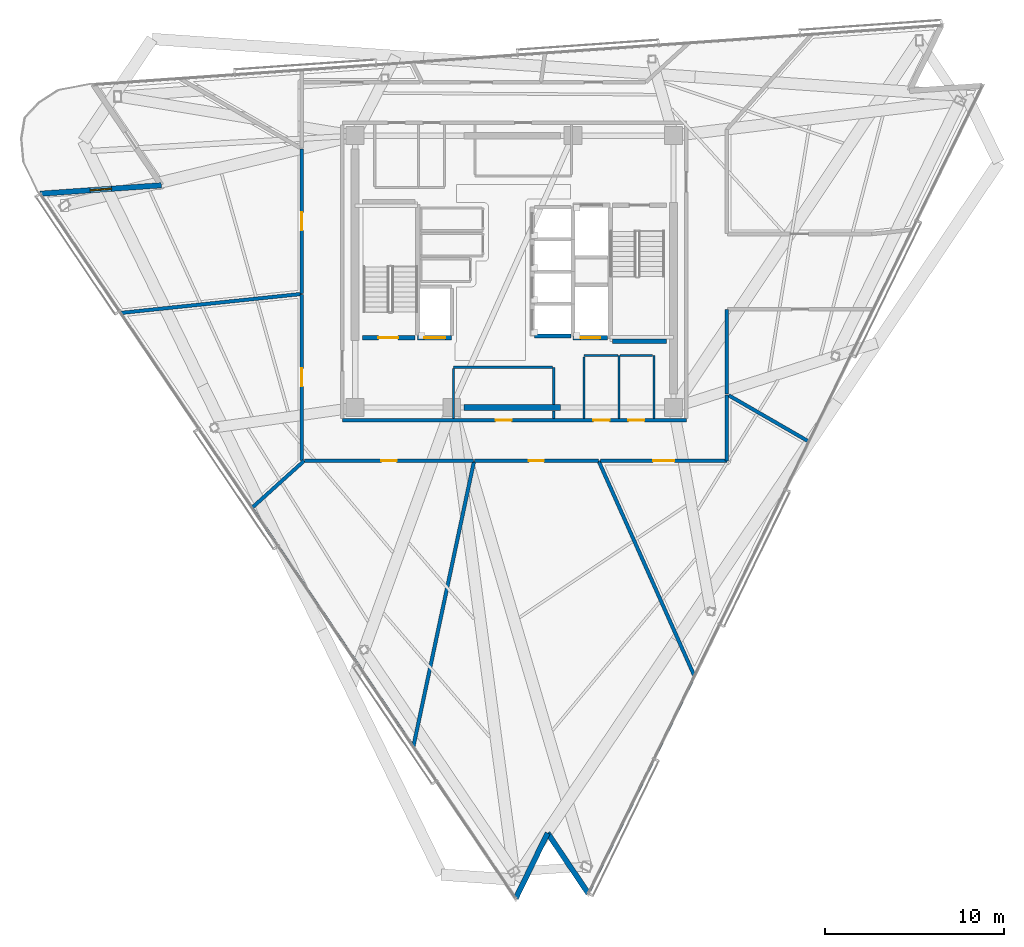
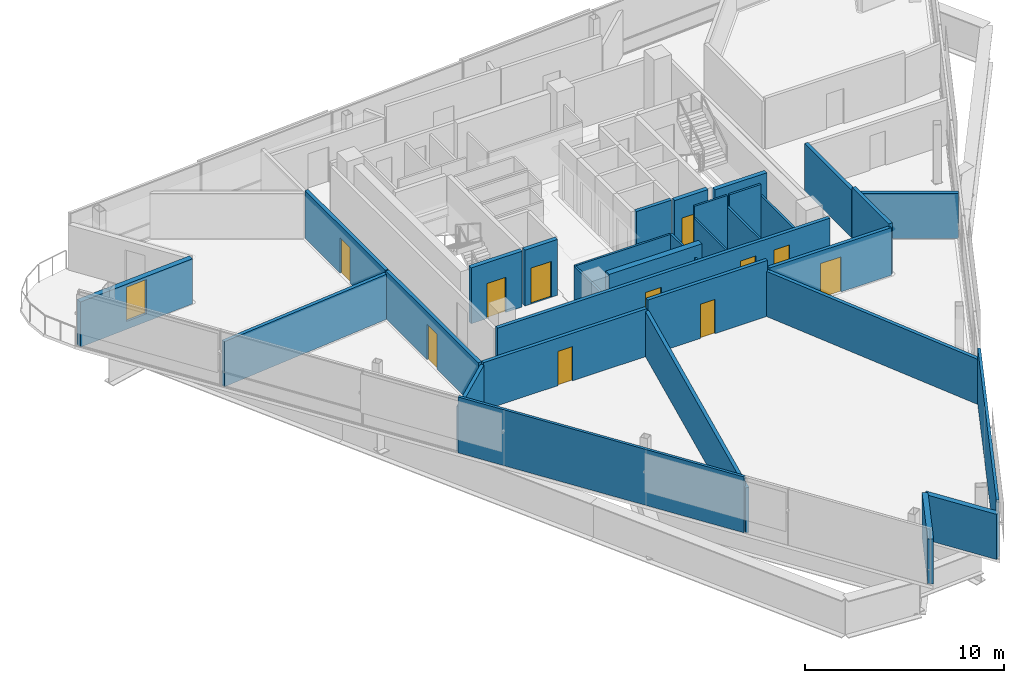
# One storey, part 10 of 17: 33 walls, 11 doors, 1 window, 12 openings.
"""IFC4 building model written with IfcOpenShell, lengths in metres."""

from ifc_helpers import new_model, si_unit, direction, frame, frame_2d, origin, place, context, subcontext, project, spatial, rectangle, extrude, material, layer, layer_set, type_object, element, fill, save


model = new_model("IFC4")

# Units and contexts
model_context = context("Model", 3, precision=1e-05, world=origin(), true_north=direction((0.0, 1.0)))
body_context = subcontext(model_context, "Body", "Model", "MODEL_VIEW")
ifc_project = project(units=[si_unit("LENGTHUNIT", "METRE"), si_unit("AREAUNIT", "SQUARE_METRE"), si_unit("VOLUMEUNIT", "CUBIC_METRE"), si_unit("PLANEANGLEUNIT", "RADIAN"), si_unit("MASSUNIT", "GRAM", prefix="KILO")], contexts=[model_context])

# Site, building, storey
site_placement = place(None, origin())
site = spatial("IfcSite", under=ifc_project, at=site_placement, CompositionType="ELEMENT")
building_placement = place(site_placement, origin())
building = spatial("IfcBuilding", under=site, at=building_placement, Name="Tharavind Bronze Gate", CompositionType="ELEMENT")
storey_placement = place(building_placement, frame((0.0, 0.0, 253.39990234375)))
storey = spatial("IfcBuildingStorey", under=building, at=storey_placement, Name="L65", CompositionType="ELEMENT", Elevation=253.39990234375)

# Wall, opening, window
ifc_material_1 = material(Name="Concrete C40/50", Category="concrete")
ifc_layer_1 = layer(ifc_material_1, 0.300048828125)
ifc_layer_set_1 = layer_set([ifc_layer_1], Name="Concrete C40/50")
wall_type_1 = type_object("IfcWallType", Name="EXTERIOR SPANDREL WALL 300", PredefinedType="STANDARD", material=ifc_layer_set_1)
wall_1_placement = place(storey_placement, frame((-19.734619140625, 4.8251953125, 0.0), z_axis=(0.0, 0.0, 1.0), x_axis=(-0.997564507468, -0.06974993506, 0.0)))
wall_1 = element("IfcWall", 1, at=wall_1_placement, inside=storey, type_object=wall_type_1, Name="L65 notch cheek wall 1B", PredefinedType="STANDARD", context=body_context, shape_type="SweptSolid", body=[
    extrude(rectangle(XDim=6.780029296875, YDim=0.300048828125, at=frame_2d((3.39013671875, 0.0))), origin(), (0.0, 0.0, 1.0), 2.76513671875),
])
opening_1_placement = place(wall_1_placement, frame((2.7900390625, 0.0, 0.485107421875)))
opening_1 = element("IfcOpeningElement", 2, at=opening_1_placement, cuts=wall_1, Name="Opening W01", PredefinedType="OPENING", context=body_context, shape_type="SweptSolid", body=[
    extrude(rectangle(XDim=1.199951171875, YDim=2.10009765625, at=frame_2d((0.60009765625, 1.050048828125))), frame((0.0, 0.15990234375, 0.0), z_axis=(0.0, -1.0, 0.0), x_axis=(1.0, 0.0, 0.0)), (0.0, 0.0, 1.0), 0.320048828125),
])
ifc_material_2 = material(Name="Bronze Aluminium & Low-E Glass", Category="aluminium")
window_type = type_object("IfcWindowType", Name="FIXED BRONZE CASEMENT WINDOW 1200X2100", PartitioningType="SINGLE_PANEL", PredefinedType="WINDOW", material=ifc_material_2)
window_placement = place(opening_1_placement, origin())
window = element("IfcWindow", 3, at=window_placement, inside=storey, type_object=window_type, Name="L65 exterior window WL-L65-NCA1-01", OverallHeight=2.10009765625, OverallWidth=1.199951171875, PartitioningType="SINGLE_PANEL", PredefinedType="WINDOW", context=body_context, shape_type="SweptSolid", body=[
    extrude(rectangle(XDim=1.199951171875, YDim=2.10009765625, at=frame_2d((0.60009765625, 1.050048828125))), frame((0.0, 0.030029296875, 0.0), z_axis=(0.0, -1.0, 0.0), x_axis=(1.0, 0.0, 0.0)), (0.0, 0.0, 1.0), 0.06005859375),
])
fill(opening_1, window)

# Walls
wall_2_placement = place(storey_placement, frame((0.075927734375, -35.04541015625, 0.0), z_axis=(0.0, 0.0, 1.0), x_axis=(0.438357414153, 0.898800744024, 0.0)))
element("IfcWall", 4, at=wall_2_placement, inside=storey, type_object=wall_type_1, Name="L65 notch cheek wall 2A", PredefinedType="STANDARD", context=body_context, shape_type="SweptSolid", body=[
    extrude(rectangle(XDim=4.06787109375, YDim=0.300048828125, at=frame_2d((2.033935546875, 0.0))), origin(), (0.0, 0.0, 1.0), 2.76513671875),
])
wall_3_placement = place(storey_placement, frame((1.859130859375, -31.38916015625, 0.0), z_axis=(0.0, 0.0, 1.0), x_axis=(0.559206900681, -0.829028131145, 0.0)))
element("IfcWall", 5, at=wall_3_placement, inside=storey, type_object=wall_type_1, Name="L65 notch cheek wall 2B", PredefinedType="STANDARD", context=body_context, shape_type="SweptSolid", body=[
    extrude(rectangle(XDim=4.068115234375, YDim=0.300048828125, at=frame_2d((2.0341796875, 0.0))), origin(), (0.0, 0.0, 1.0), 2.76513671875),
])

# Wall, openings, doors
ifc_material_3 = material(Name="Aerated Concrete Block", Category="concrete")
ifc_layer_2 = layer(ifc_material_3, 0.199951171875)
ifc_layer_set_2 = layer_set([ifc_layer_2], Name="Aerated Concrete Block")
wall_type_2 = type_object("IfcWallType", Name="FIRE RATED PARTITION 200", PredefinedType="PARTITIONING", material=ifc_layer_set_2)
wall_4_placement = place(storey_placement, frame((-9.6201171875, -8.320068359375, 0.0), z_axis=(0.0, 0.0, 1.0), x_axis=(1.0, 0.0, 0.0)))
wall_4 = element("IfcWall", 6, at=wall_4_placement, inside=storey, type_object=wall_type_2, Name="L65 south core corridor wall", PredefinedType="PARTITIONING", context=body_context, shape_type="SweptSolid", body=[
    extrude(rectangle(XDim=19.240234375, YDim=0.199951171875, at=frame_2d((9.6201171875, 0.0))), origin(), (0.0, 0.0, 1.0), 2.9150390625),
])
opening_2_placement = place(wall_4_placement, frame((8.570068359375, 0.0, 0.0)))
opening_2 = element("IfcOpeningElement", 7, at=opening_2_placement, cuts=wall_4, Name="Opening ID07", PredefinedType="OPENING", context=body_context, shape_type="SweptSolid", body=[
    extrude(rectangle(XDim=0.89990234375, YDim=2.10009765625, at=frame_2d((0.449951171875, 1.050048828125))), frame((0.0, 0.11009765625, 0.0), z_axis=(0.0, -1.0, 0.0), x_axis=(1.0, 0.0, 0.0)), (0.0, 0.0, 1.0), 0.219951171875),
])
opening_3_placement = place(wall_4_placement, frame((14.044921875, 0.0, 0.0)))
opening_3 = element("IfcOpeningElement", 8, at=opening_3_placement, cuts=wall_4, Name="Opening ID07", PredefinedType="OPENING", context=body_context, shape_type="SweptSolid", body=[
    extrude(rectangle(XDim=0.89990234375, YDim=2.10009765625, at=frame_2d((0.449951171875, 1.050048828125))), frame((0.0, 0.11009765625, 0.0), z_axis=(0.0, -1.0, 0.0), x_axis=(1.0, 0.0, 0.0)), (0.0, 0.0, 1.0), 0.219951171875),
])
opening_4_placement = place(wall_4_placement, frame((15.9951171875, 0.0, 0.0)))
opening_4 = element("IfcOpeningElement", 9, at=opening_4_placement, cuts=wall_4, Name="Opening ID07", PredefinedType="OPENING", context=body_context, shape_type="SweptSolid", body=[
    extrude(rectangle(XDim=0.89990234375, YDim=2.10009765625, at=frame_2d((0.449951171875, 1.050048828125))), frame((0.0, 0.11009765625, 0.0), z_axis=(0.0, -1.0, 0.0), x_axis=(1.0, 0.0, 0.0)), (0.0, 0.0, 1.0), 0.219951171875),
])
ifc_material_4 = material(Name="Galvanised Fire Steel", Category="steel")
door_type_1 = type_object("IfcDoorType", Name="PLANT AND RISER FIRE DOOR 900X2100", OperationType="SINGLE_SWING_LEFT", PredefinedType="DOOR", material=ifc_material_4)
door_1_placement = place(opening_2_placement, origin())
door_1 = element("IfcDoor", 10, at=door_1_placement, inside=storey, type_object=door_type_1, Name="L65 Core BMS Control Room fire door", OperationType="SINGLE_SWING_LEFT", OverallHeight=2.10009765625, OverallWidth=0.89990234375, PredefinedType="DOOR", context=body_context, shape_type="SweptSolid", body=[
    extrude(rectangle(XDim=0.89990234375, YDim=2.10009765625, at=frame_2d((0.449951171875, 1.050048828125))), frame((0.0, 0.02490234375, 0.0), z_axis=(0.0, -1.0, 0.0), x_axis=(1.0, 0.0, 0.0)), (0.0, 0.0, 1.0), 0.050048828125),
])
fill(opening_2, door_1)
door_2_placement = place(opening_3_placement, origin())
door_2 = element("IfcDoor", 11, at=door_2_placement, inside=storey, type_object=door_type_1, Name="L65 Comms Patch Room fire door", OperationType="SINGLE_SWING_LEFT", OverallHeight=2.10009765625, OverallWidth=0.89990234375, PredefinedType="DOOR", context=body_context, shape_type="SweptSolid", body=[
    extrude(rectangle(XDim=0.89990234375, YDim=2.10009765625, at=frame_2d((0.449951171875, 1.050048828125))), frame((0.0, 0.02490234375, 0.0), z_axis=(0.0, -1.0, 0.0), x_axis=(1.0, 0.0, 0.0)), (0.0, 0.0, 1.0), 0.050048828125),
])
fill(opening_3, door_2)
door_3_placement = place(opening_4_placement, origin())
door_3 = element("IfcDoor", 12, at=door_3_placement, inside=storey, type_object=door_type_1, Name="L65 Housekeeping Store fire door", OperationType="SINGLE_SWING_LEFT", OverallHeight=2.10009765625, OverallWidth=0.89990234375, PredefinedType="DOOR", context=body_context, shape_type="SweptSolid", body=[
    extrude(rectangle(XDim=0.89990234375, YDim=2.10009765625, at=frame_2d((0.449951171875, 1.050048828125))), frame((0.0, 0.02490234375, 0.0), z_axis=(0.0, -1.0, 0.0), x_axis=(1.0, 0.0, 0.0)), (0.0, 0.0, 1.0), 0.050048828125),
])
fill(opening_4, door_3)

# Wall
wall_5_placement = place(storey_placement, frame((-14.643310546875, -13.184814453125, 0.0), z_axis=(0.0, 0.0, 1.0), x_axis=(0.74316596467, 0.669107128161, 0.0)))
element("IfcWall", 13, at=wall_5_placement, inside=storey, type_object=wall_type_2, Name="L65 Public Restrooms Block partition", PredefinedType="PARTITIONING", context=body_context, shape_type="SweptSolid", body=[
    extrude(rectangle(XDim=3.88330078125, YDim=0.199951171875, at=frame_2d((1.941650390625, 0.0))), origin(), (0.0, 0.0, 1.0), 2.76513671875),
])

# Wall, opening, door
wall_6_placement = place(storey_placement, frame((-11.74072265625, -10.580078125, 0.0), z_axis=(0.0, 0.0, 1.0), x_axis=(1.0, 0.0, 0.0)))
wall_6 = element("IfcWall", 14, at=wall_6_placement, inside=storey, type_object=wall_type_2, Name="L65 Public Restrooms Block partition", PredefinedType="PARTITIONING", context=body_context, shape_type="SweptSolid", body=[
    extrude(rectangle(XDim=9.4609375, YDim=0.199951171875, at=frame_2d((4.73046875, 0.0))), origin(), (0.0, 0.0, 1.0), 2.9150390625),
])
opening_5_placement = place(wall_6_placement, frame((4.305908203125, 0.0, 0.0)))
opening_5 = element("IfcOpeningElement", 15, at=opening_5_placement, cuts=wall_6, Name="Opening ID06", PredefinedType="OPENING", context=body_context, shape_type="SweptSolid", body=[
    extrude(rectangle(XDim=0.85009765625, YDim=2.10009765625, at=frame_2d((0.425048828125, 1.050048828125))), frame((0.0, 0.11009765625, 0.0), z_axis=(0.0, -1.0, 0.0), x_axis=(1.0, 0.0, 0.0)), (0.0, 0.0, 1.0), 0.219951171875),
])
ifc_material_5 = material(Name="Moisture-Resistant Timber", Category="wood")
door_type_2 = type_object("IfcDoorType", Name="BATHROOM PRIVACY DOOR 850X2100", OperationType="SINGLE_SWING_RIGHT", PredefinedType="DOOR", material=ifc_material_5)
door_4_placement = place(opening_5_placement, origin())
door_4 = element("IfcDoor", 16, at=door_4_placement, inside=storey, type_object=door_type_2, Name="L65 Public Restrooms Block door", OperationType="SINGLE_SWING_RIGHT", OverallHeight=2.10009765625, OverallWidth=0.85009765625, PredefinedType="DOOR", context=body_context, shape_type="SweptSolid", body=[
    extrude(rectangle(XDim=0.85009765625, YDim=2.10009765625, at=frame_2d((0.425048828125, 1.050048828125))), frame((0.0, 0.02490234375, 0.0), z_axis=(0.0, -1.0, 0.0), x_axis=(1.0, 0.0, 0.0)), (0.0, 0.0, 1.0), 0.050048828125),
])
fill(opening_5, door_4)

# Wall
wall_7_placement = place(storey_placement, frame((-2.25537109375, -10.610107421875, 0.0), z_axis=(0.0, 0.0, 1.0), x_axis=(-0.207902262157, -0.97814960481, 0.0)))
element("IfcWall", 17, at=wall_7_placement, inside=storey, type_object=wall_type_2, Name="L65 Public Restrooms Block partition", PredefinedType="PARTITIONING", context=body_context, shape_type="SweptSolid", body=[
    extrude(rectangle(XDim=16.308837890625, YDim=0.199951171875, at=frame_2d((8.154296875, 0.0))), origin(), (0.0, 0.0, 1.0), 2.76513671875),
])

# Wall, opening, door
wall_8_placement = place(storey_placement, frame((-2.228515625, -10.580078125, 0.0), z_axis=(0.0, 0.0, 1.0), x_axis=(1.0, 0.0, 0.0)))
wall_8 = element("IfcWall", 18, at=wall_8_placement, inside=storey, type_object=wall_type_2, Name="L65 Public Restrooms Block partition", PredefinedType="PARTITIONING", context=body_context, shape_type="SweptSolid", body=[
    extrude(rectangle(XDim=6.9228515625, YDim=0.199951171875, at=frame_2d((3.46142578125, 0.0))), origin(), (0.0, 0.0, 1.0), 3.420166015625),
])
opening_6_placement = place(wall_8_placement, frame((3.035888671875, 0.0, 0.0)))
opening_6 = element("IfcOpeningElement", 19, at=opening_6_placement, cuts=wall_8, Name="Opening ID06", PredefinedType="OPENING", context=body_context, shape_type="SweptSolid", body=[
    extrude(rectangle(XDim=0.85009765625, YDim=2.10009765625, at=frame_2d((0.425048828125, 1.050048828125))), frame((0.0, 0.11009765625, 0.0), z_axis=(0.0, -1.0, 0.0), x_axis=(1.0, 0.0, 0.0)), (0.0, 0.0, 1.0), 0.219951171875),
])
door_5_placement = place(opening_6_placement, origin())
door_5 = element("IfcDoor", 20, at=door_5_placement, inside=storey, type_object=door_type_2, Name="L65 Public Restrooms Block door", OperationType="SINGLE_SWING_RIGHT", OverallHeight=2.10009765625, OverallWidth=0.85009765625, PredefinedType="DOOR", context=body_context, shape_type="SweptSolid", body=[
    extrude(rectangle(XDim=0.85009765625, YDim=2.10009765625, at=frame_2d((0.425048828125, 1.050048828125))), frame((0.0, 0.02490234375, 0.0), z_axis=(0.0, -1.0, 0.0), x_axis=(1.0, 0.0, 0.0)), (0.0, 0.0, 1.0), 0.050048828125),
])
fill(opening_6, door_5)

# Wall
wall_9_placement = place(storey_placement, frame((4.717041015625, -10.5947265625, 0.0), z_axis=(0.0, 0.0, 1.0), x_axis=(0.406740308305, -0.913543825769, 0.0)))
element("IfcWall", 21, at=wall_9_placement, inside=storey, type_object=wall_type_2, Name="L65 Public Restrooms Block partition", PredefinedType="PARTITIONING", context=body_context, shape_type="SweptSolid", body=[
    extrude(rectangle(XDim=13.1337890625, YDim=0.199951171875, at=frame_2d((6.56689453125, 0.0))), origin(), (0.0, 0.0, 1.0), 2.76513671875),
])

# Wall, opening, door
wall_10_placement = place(storey_placement, frame((-11.8798828125, 6.844482421875, 0.0), z_axis=(0.0, 0.0, 1.0), x_axis=(0.0, -1.0, 0.0)))
wall_10 = element("IfcWall", 22, at=wall_10_placement, inside=storey, type_object=wall_type_2, Name="L65 Executive Open Office partition", PredefinedType="PARTITIONING", context=body_context, shape_type="SweptSolid", body=[
    extrude(rectangle(XDim=8.070556640625, YDim=0.199951171875, at=frame_2d((4.03515625, 0.0))), origin(), (0.0, 0.0, 1.0), 2.9150390625),
])
opening_7_placement = place(wall_10_placement, frame((3.534912109375, 0.0, 0.0)))
opening_7 = element("IfcOpeningElement", 23, at=opening_7_placement, cuts=wall_10, Name="Opening ID04", PredefinedType="OPENING", context=body_context, shape_type="SweptSolid", body=[
    extrude(rectangle(XDim=1.0, YDim=2.14990234375, at=frame_2d((0.5, 1.074951171875))), frame((0.0, 0.11009765625, 0.0), z_axis=(0.0, -1.0, 0.0), x_axis=(1.0, 0.0, 0.0)), (0.0, 0.0, 1.0), 0.219951171875),
])
ifc_material_6 = material(Name="Bronze Framed Acoustic Timber", Category="wood")
door_type_3 = type_object("IfcDoorType", Name="OFFICE TENANCY DOOR 1000X2150", OperationType="SINGLE_SWING_RIGHT", PredefinedType="DOOR", material=ifc_material_6)
door_6_placement = place(opening_7_placement, origin())
door_6 = element("IfcDoor", 24, at=door_6_placement, inside=storey, type_object=door_type_3, Name="L65 Executive Open Office door", OperationType="SINGLE_SWING_RIGHT", OverallHeight=2.14990234375, OverallWidth=1.0, PredefinedType="DOOR", context=body_context, shape_type="SweptSolid", body=[
    extrude(rectangle(XDim=1.0, YDim=2.14990234375, at=frame_2d((0.5, 1.074951171875))), frame((0.0, 0.02490234375, 0.0), z_axis=(0.0, -1.0, 0.0), x_axis=(1.0, 0.0, 0.0)), (0.0, 0.0, 1.0), 0.050048828125),
])
fill(opening_7, door_6)

# Wall
wall_11_placement = place(storey_placement, frame((-11.90234375, -1.2509765625, 0.0), z_axis=(0.0, 0.0, 1.0), x_axis=(-0.994521271801, -0.104534395947, 0.0)))
element("IfcWall", 25, at=wall_11_placement, inside=storey, type_object=wall_type_2, Name="L65 Executive Open Office partition", PredefinedType="PARTITIONING", context=body_context, shape_type="SweptSolid", body=[
    extrude(rectangle(XDim=10.140869140625, YDim=0.199951171875, at=frame_2d((5.0703125, 0.0))), origin(), (0.0, 0.0, 1.0), 2.76513671875),
])

# Wall, opening, door
wall_12_placement = place(storey_placement, frame((-11.8798828125, -1.2763671875, 0.0), z_axis=(0.0, 0.0, 1.0), x_axis=(0.0, -1.0, 0.0)))
wall_12 = element("IfcWall", 26, at=wall_12_placement, inside=storey, type_object=wall_type_2, Name="L65 General Counsel Office partition", PredefinedType="PARTITIONING", context=body_context, shape_type="SweptSolid", body=[
    extrude(rectangle(XDim=9.279052734375, YDim=0.199951171875, at=frame_2d((4.6396484375, 0.0))), origin(), (0.0, 0.0, 1.0), 2.9150390625),
])
opening_8_placement = place(wall_12_placement, frame((4.139892578125, 0.0, 0.0)))
opening_8 = element("IfcOpeningElement", 27, at=opening_8_placement, cuts=wall_12, Name="Opening ID04", PredefinedType="OPENING", context=body_context, shape_type="SweptSolid", body=[
    extrude(rectangle(XDim=1.0, YDim=2.14990234375, at=frame_2d((0.5, 1.074951171875))), frame((0.0, 0.11009765625, 0.0), z_axis=(0.0, -1.0, 0.0), x_axis=(1.0, 0.0, 0.0)), (0.0, 0.0, 1.0), 0.219951171875),
])
door_7_placement = place(opening_8_placement, origin())
door_7 = element("IfcDoor", 28, at=door_7_placement, inside=storey, type_object=door_type_3, Name="L65 General Counsel Office door", OperationType="SINGLE_SWING_RIGHT", OverallHeight=2.14990234375, OverallWidth=1.0, PredefinedType="DOOR", context=body_context, shape_type="SweptSolid", body=[
    extrude(rectangle(XDim=1.0, YDim=2.14990234375, at=frame_2d((0.5, 1.074951171875))), frame((0.0, 0.02490234375, 0.0), z_axis=(0.0, -1.0, 0.0), x_axis=(1.0, 0.0, 0.0)), (0.0, 0.0, 1.0), 0.050048828125),
])
fill(opening_8, door_7)

wall_13_placement = place(storey_placement, frame((4.825439453125, -10.580078125, 0.0), z_axis=(0.0, 0.0, 1.0), x_axis=(1.0, 0.0, 0.0)))
wall_13 = element("IfcWall", 29, at=wall_13_placement, inside=storey, type_object=wall_type_2, Name="L65 Executive Dining Lounge partition", PredefinedType="PARTITIONING", context=body_context, shape_type="SweptSolid", body=[
    extrude(rectangle(XDim=7.053955078125, YDim=0.199951171875, at=frame_2d((3.52685546875, 0.0))), origin(), (0.0, 0.0, 1.0), 2.9150390625),
])
opening_9_placement = place(wall_13_placement, frame((2.927001953125, 0.0, 0.0)))
opening_9 = element("IfcOpeningElement", 30, at=opening_9_placement, cuts=wall_13, Name="Opening ID05", PredefinedType="OPENING", context=body_context, shape_type="SweptSolid", body=[
    extrude(rectangle(XDim=1.199951171875, YDim=2.14990234375, at=frame_2d((0.60009765625, 1.074951171875))), frame((0.0, 0.11009765625, 0.0), z_axis=(0.0, -1.0, 0.0), x_axis=(1.0, 0.0, 0.0)), (0.0, 0.0, 1.0), 0.219951171875),
])
ifc_material_7 = material(Name="Acoustic Laminated Glass", Category="glass")
door_type_4 = type_object("IfcDoorType", Name="MEETING ROOM GLAZED DOOR 1200X2150", OperationType="SINGLE_SWING_LEFT", PredefinedType="DOOR", material=ifc_material_7)
door_8_placement = place(opening_9_placement, origin())
door_8 = element("IfcDoor", 31, at=door_8_placement, inside=storey, type_object=door_type_4, Name="L65 Executive Dining Lounge door", OperationType="SINGLE_SWING_LEFT", OverallHeight=2.14990234375, OverallWidth=1.199951171875, PredefinedType="DOOR", context=body_context, shape_type="SweptSolid", body=[
    extrude(rectangle(XDim=1.199951171875, YDim=2.14990234375, at=frame_2d((0.60009765625, 1.074951171875))), frame((0.0, 0.02490234375, 0.0), z_axis=(0.0, -1.0, 0.0), x_axis=(1.0, 0.0, 0.0)), (0.0, 0.0, 1.0), 0.050048828125),
])
fill(opening_9, door_8)

# Walls
wall_14_placement = place(storey_placement, frame((11.8798828125, -10.579345703125, 0.0), z_axis=(0.0, 0.0, 1.0), x_axis=(0.0, 1.0, 0.0)))
element("IfcWall", 32, at=wall_14_placement, inside=storey, type_object=wall_type_2, Name="L65 Executive Dining Lounge partition", PredefinedType="PARTITIONING", context=body_context, shape_type="SweptSolid", body=[
    extrude(rectangle(XDim=3.67724609375, YDim=0.199951171875, at=frame_2d((1.838623046875, 0.0))), origin(), (0.0, 0.0, 1.0), 3.114990234375),
])
wall_15_placement = place(storey_placement, frame((11.985107421875, -6.919677734375, 0.0), z_axis=(0.0, 0.0, 1.0), x_axis=(0.866041575714, -0.49997198835, 0.0)))
element("IfcWall", 33, at=wall_15_placement, inside=storey, type_object=wall_type_2, Name="L65 Executive Dining Lounge partition", PredefinedType="PARTITIONING", context=body_context, shape_type="SweptSolid", body=[
    extrude(rectangle(XDim=5.137939453125, YDim=0.199951171875, at=frame_2d((2.56884765625, 0.0))), origin(), (0.0, 0.0, 1.0), 2.76513671875),
])
wall_16_placement = place(storey_placement, frame((11.8798828125, -6.844482421875, 0.0), z_axis=(0.0, 0.0, 1.0), x_axis=(0.0, 1.0, 0.0)))
element("IfcWall", 34, at=wall_16_placement, inside=storey, type_object=wall_type_2, Name="L65 Butler Pantry partition", PredefinedType="PARTITIONING", context=body_context, shape_type="SweptSolid", body=[
    extrude(rectangle(XDim=4.719482421875, YDim=0.199951171875, at=frame_2d((2.35986328125, 0.0))), origin(), (0.0, 0.0, 1.0), 2.9150390625),
])
ifc_material_8 = material(Name="Metal Stud Gypsum Partition", Category="gypsum")
ifc_layer_3 = layer(ifc_material_8, 0.1201171875)
ifc_layer_set_3 = layer_set([ifc_layer_3], Name="Metal Stud Gypsum Partition")
wall_type_3 = type_object("IfcWallType", Name="INTERIOR PARTITION WALL 120", PredefinedType="PARTITIONING", material=ifc_layer_set_3)
wall_17_placement = place(storey_placement, frame((2.199951171875, -8.215087890625, 0.0), z_axis=(0.0, 0.0, 1.0), x_axis=(0.0, 1.0, 0.0)))
element("IfcWall", 35, at=wall_17_placement, inside=storey, type_object=wall_type_3, Name="L65 Core BMS Control Room partition 2", PredefinedType="PARTITIONING", context=body_context, shape_type="SweptSolid", body=[
    extrude(rectangle(XDim=0.43505859375, YDim=0.1201171875, at=frame_2d((0.217529296875, 0.0))), origin(), (0.0, 0.0, 1.0), 2.715087890625),
])
wall_18_placement = place(storey_placement, frame((2.199951171875, -7.419921875, 0.0), z_axis=(0.0, 0.0, 1.0), x_axis=(0.0, 1.0, 0.0)))
element("IfcWall", 36, at=wall_18_placement, inside=storey, type_object=wall_type_3, Name="L65 Core BMS Control Room partition 2", PredefinedType="PARTITIONING", context=body_context, shape_type="SweptSolid", body=[
    extrude(rectangle(XDim=2.06982421875, YDim=0.1201171875, at=frame_2d((1.034912109375, 0.0))), origin(), (0.0, 0.0, 1.0), 2.715087890625),
])
wall_19_placement = place(storey_placement, frame((2.135009765625, -5.35009765625, 0.0), z_axis=(0.0, 0.0, 1.0), x_axis=(-1.0, 0.0, 0.0)))
element("IfcWall", 37, at=wall_19_placement, inside=storey, type_object=wall_type_3, Name="L65 Core BMS Control Room partition 3", PredefinedType="PARTITIONING", context=body_context, shape_type="SweptSolid", body=[
    extrude(rectangle(XDim=5.534912109375, YDim=0.1201171875, at=frame_2d((2.767578125, 0.0))), origin(), (0.0, 0.0, 1.0), 2.715087890625),
])
wall_20_placement = place(storey_placement, frame((-3.39990234375, -5.4150390625, 0.0), z_axis=(0.0, 0.0, 1.0), x_axis=(0.0, -1.0, 0.0)))
element("IfcWall", 38, at=wall_20_placement, inside=storey, type_object=wall_type_3, Name="L65 Core BMS Control Room partition 4", PredefinedType="PARTITIONING", context=body_context, shape_type="SweptSolid", body=[
    extrude(rectangle(XDim=2.800048828125, YDim=0.1201171875, at=frame_2d((1.39990234375, 0.0))), origin(), (0.0, 0.0, 1.0), 2.715087890625),
])
wall_21_placement = place(storey_placement, frame((5.85009765625, -8.215087890625, 0.0), z_axis=(0.0, 0.0, 1.0), x_axis=(0.0, 1.0, 0.0)))
element("IfcWall", 39, at=wall_21_placement, inside=storey, type_object=wall_type_3, Name="L65 Comms Patch Room partition 2", PredefinedType="PARTITIONING", context=body_context, shape_type="SweptSolid", body=[
    extrude(rectangle(XDim=3.51513671875, YDim=0.1201171875, at=frame_2d((1.757568359375, 0.0))), origin(), (0.0, 0.0, 1.0), 2.715087890625),
])
wall_22_placement = place(storey_placement, frame((5.784912109375, -4.699951171875, 0.0), z_axis=(0.0, 0.0, 1.0), x_axis=(-1.0, 0.0, 0.0)))
element("IfcWall", 40, at=wall_22_placement, inside=storey, type_object=wall_type_3, Name="L65 Comms Patch Room partition 3", PredefinedType="PARTITIONING", context=body_context, shape_type="SweptSolid", body=[
    extrude(rectangle(XDim=1.885009765625, YDim=0.1201171875, at=frame_2d((0.9423828125, 0.0))), origin(), (0.0, 0.0, 1.0), 3.420166015625),
])
wall_23_placement = place(storey_placement, frame((3.89990234375, -4.764892578125, 0.0), z_axis=(0.0, 0.0, 1.0), x_axis=(0.0, -1.0, 0.0)))
element("IfcWall", 41, at=wall_23_placement, inside=storey, type_object=wall_type_3, Name="L65 Comms Patch Room partition 4", PredefinedType="PARTITIONING", context=body_context, shape_type="SweptSolid", body=[
    extrude(rectangle(XDim=3.4501953125, YDim=0.1201171875, at=frame_2d((1.72509765625, 0.0))), origin(), (0.0, 0.0, 1.0), 2.715087890625),
])
wall_24_placement = place(storey_placement, frame((7.800048828125, -8.215087890625, 0.0), z_axis=(0.0, 0.0, 1.0), x_axis=(0.0, 1.0, 0.0)))
element("IfcWall", 42, at=wall_24_placement, inside=storey, type_object=wall_type_3, Name="L65 Housekeeping Store partition 2", PredefinedType="PARTITIONING", context=body_context, shape_type="SweptSolid", body=[
    extrude(rectangle(XDim=3.51513671875, YDim=0.1201171875, at=frame_2d((1.757568359375, 0.0))), origin(), (0.0, 0.0, 1.0), 2.715087890625),
])
wall_25_placement = place(storey_placement, frame((7.735107421875, -4.699951171875, 0.0), z_axis=(0.0, 0.0, 1.0), x_axis=(-1.0, 0.0, 0.0)))
element("IfcWall", 43, at=wall_25_placement, inside=storey, type_object=wall_type_3, Name="L65 Housekeeping Store partition 3", PredefinedType="PARTITIONING", context=body_context, shape_type="SweptSolid", body=[
    extrude(rectangle(XDim=1.820068359375, YDim=0.1201171875, at=frame_2d((0.91015625, 0.0))), origin(), (0.0, 0.0, 1.0), 3.420166015625),
])
ifc_material_9 = material(Name="Twin Stud Acoustic Gypsum", Category="gypsum")
ifc_layer_4 = layer(ifc_material_9, 0.14990234375)
ifc_layer_set_4 = layer_set([ifc_layer_4], Name="Twin Stud Acoustic Gypsum")
wall_type_4 = type_object("IfcWallType", Name="INTERIOR PARTITION WALL 150", PredefinedType="PARTITIONING", material=ifc_layer_set_4)
wall_26_placement = place(storey_placement, frame((-5.7275390625, -26.44140625, 0.0), z_axis=(0.0, 0.0, 1.0), x_axis=(-0.559188397691, 0.829040611724, 0.0)))
element("IfcWall", 44, at=wall_26_placement, inside=storey, type_object=wall_type_4, Name="L65 Public Restrooms Block partition", PredefinedType="PARTITIONING", context=body_context, shape_type="SweptSolid", body=[
    extrude(rectangle(XDim=15.951171875, YDim=0.14990234375, at=frame_2d((7.9755859375, 0.0))), origin(), (0.0, 0.0, 1.0), 3.420166015625),
])
wall_27_placement = place(storey_placement, frame((10.05859375, -22.6142578125, 0.0), z_axis=(0.0, 0.0, 1.0), x_axis=(-0.438368087018, -0.898795538643, 0.0)))
element("IfcWall", 45, at=wall_27_placement, inside=storey, type_object=wall_type_4, Name="L65 Public Restrooms Block partition", PredefinedType="PARTITIONING", context=body_context, shape_type="SweptSolid", body=[
    extrude(rectangle(XDim=13.336181640625, YDim=0.14990234375, at=frame_2d((6.66796875, 0.0))), origin(), (0.0, 0.0, 1.0), 3.420166015625),
])

# Wall, opening, door
ifc_material_10 = material(Name="Concrete C50/60", Category="concrete")
ifc_layer_5 = layer(ifc_material_10, 0.25)
ifc_layer_set_5 = layer_set([ifc_layer_5], Name="Concrete C50/60")
wall_type_5 = type_object("IfcWallType", Name="RC CORE SHEAR WALL 250", PredefinedType="SHEAR", material=ifc_layer_set_5)
wall_28_placement = place(storey_placement, frame((-8.5, -3.699951171875, 0.0), z_axis=(0.0, 0.0, 1.0), x_axis=(1.0, 0.0, 0.0)))
wall_28 = element("IfcWall", 46, at=wall_28_placement, inside=storey, type_object=wall_type_5, Name="L65 ST1 shaft south wall", PredefinedType="SHEAR", context=body_context, shape_type="SweptSolid", body=[
    extrude(rectangle(XDim=2.949951171875, YDim=0.25, at=frame_2d((1.47509765625, 0.0))), origin(), (0.0, 0.0, 1.0), 3.420166015625),
])
opening_10_placement = place(wall_28_placement, frame((0.89990234375, 0.0, 0.0)))
opening_10 = element("IfcOpeningElement", 47, at=opening_10_placement, cuts=wall_28, Name="Opening ID01", PredefinedType="OPENING", context=body_context, shape_type="SweptSolid", body=[
    extrude(rectangle(XDim=1.10009765625, YDim=2.14990234375, at=frame_2d((0.550048828125, 1.074951171875))), frame((0.0, 0.135, 0.0), z_axis=(0.0, -1.0, 0.0), x_axis=(1.0, 0.0, 0.0)), (0.0, 0.0, 1.0), 0.27),
])
ifc_material_11 = material(Name="Fire-Rated Steel", Category="steel")
door_type_5 = type_object("IfcDoorType", Name="STAIR CORE FIRE DOOR 1100X2150", OperationType="SINGLE_SWING_LEFT", PredefinedType="DOOR", material=ifc_material_11)
door_9_placement = place(opening_10_placement, origin())
door_9 = element("IfcDoor", 48, at=door_9_placement, inside=storey, type_object=door_type_5, Name="L65 exit stair ST1 fire door", OperationType="SINGLE_SWING_LEFT", OverallHeight=2.14990234375, OverallWidth=1.10009765625, PredefinedType="DOOR", context=body_context, shape_type="SweptSolid", body=[
    extrude(rectangle(XDim=1.10009765625, YDim=2.14990234375, at=frame_2d((0.550048828125, 1.074951171875))), frame((0.0, 0.02490234375, 0.0), z_axis=(0.0, -1.0, 0.0), x_axis=(1.0, 0.0, 0.0)), (0.0, 0.0, 1.0), 0.050048828125),
])
fill(opening_10, door_9)

# Wall
wall_29_placement = place(storey_placement, frame((5.5, -3.89990234375, 0.0), z_axis=(0.0, 0.0, 1.0), x_axis=(1.0, 0.0, 0.0)))
element("IfcWall", 49, at=wall_29_placement, inside=storey, type_object=wall_type_5, Name="L65 ST2 shaft south wall", PredefinedType="SHEAR", context=body_context, shape_type="SweptSolid", body=[
    extrude(rectangle(XDim=3.0, YDim=0.25, at=frame_2d((1.5, 0.0))), origin(), (0.0, 0.0, 1.0), 3.420166015625),
])

# Wall, opening, door
wall_30_placement = place(storey_placement, frame((-5.39990234375, -3.699951171875, 0.0), z_axis=(0.0, 0.0, 1.0), x_axis=(1.0, 0.0, 0.0)))
wall_30 = element("IfcWall", 50, at=wall_30_placement, inside=storey, type_object=wall_type_5, Name="L65 lift FFL1 shaft front wall", PredefinedType="SHEAR", context=body_context, shape_type="SweptSolid", body=[
    extrude(rectangle(XDim=1.89990234375, YDim=0.25, at=frame_2d((0.949951171875, 0.0))), origin(), (0.0, 0.0, 1.0), 3.420166015625),
])
opening_11_placement = place(wall_30_placement, frame((0.35009765625, 0.0, 0.0)))
opening_11 = element("IfcOpeningElement", 51, at=opening_11_placement, cuts=wall_30, Name="Opening LD02", PredefinedType="OPENING", context=body_context, shape_type="SweptSolid", body=[
    extrude(rectangle(XDim=1.199951171875, YDim=2.199951171875, at=frame_2d((0.60009765625, 1.10009765625))), frame((0.0, 0.135, 0.0), z_axis=(0.0, -1.0, 0.0), x_axis=(1.0, 0.0, 0.0)), (0.0, 0.0, 1.0), 0.27),
])
ifc_material_12 = material(Name="Brushed Stainless Steel", Category="steel")
door_type_6 = type_object("IfcDoorType", Name="FIREFIGHTING LIFT LANDING DOOR 1200X2200", OperationType="SLIDING_TO_RIGHT", PredefinedType="DOOR", material=ifc_material_12)
door_10_placement = place(opening_11_placement, origin())
door_10 = element("IfcDoor", 52, at=door_10_placement, inside=storey, type_object=door_type_6, Name="L65 lift FFL1 sliding landing door", OperationType="SLIDING_TO_RIGHT", OverallHeight=2.199951171875, OverallWidth=1.199951171875, PredefinedType="DOOR", context=body_context, shape_type="SweptSolid", body=[
    extrude(rectangle(XDim=1.199951171875, YDim=2.199951171875, at=frame_2d((0.60009765625, 1.10009765625))), frame((0.0, 0.02490234375, 0.0), z_axis=(0.0, -1.0, 0.0), x_axis=(1.0, 0.0, 0.0)), (0.0, 0.0, 1.0), 0.050048828125),
])
fill(opening_11, door_10)

wall_31_placement = place(storey_placement, frame((3.280029296875, -3.699951171875, 0.0), z_axis=(0.0, 0.0, 1.0), x_axis=(1.0, 0.0, 0.0)))
wall_31 = element("IfcWall", 53, at=wall_31_placement, inside=storey, type_object=wall_type_5, Name="L65 lift SVL1 shaft front wall", PredefinedType="SHEAR", context=body_context, shape_type="SweptSolid", body=[
    extrude(rectangle(XDim=1.93994140625, YDim=0.25, at=frame_2d((0.969970703125, 0.0))), origin(), (0.0, 0.0, 1.0), 3.420166015625),
])
opening_12_placement = place(wall_31_placement, frame((0.419921875, 0.0, 0.0)))
opening_12 = element("IfcOpeningElement", 54, at=opening_12_placement, cuts=wall_31, Name="Opening LD01", PredefinedType="OPENING", context=body_context, shape_type="SweptSolid", body=[
    extrude(rectangle(XDim=1.10009765625, YDim=2.199951171875, at=frame_2d((0.550048828125, 1.10009765625))), frame((0.0, 0.135, 0.0), z_axis=(0.0, -1.0, 0.0), x_axis=(1.0, 0.0, 0.0)), (0.0, 0.0, 1.0), 0.27),
])
ifc_material_13 = material(Name="Brushed Bronze Stainless Steel", Category="steel")
door_type_7 = type_object("IfcDoorType", Name="LIFT LANDING SLIDING DOOR 1100X2200", OperationType="SLIDING_TO_LEFT", PredefinedType="DOOR", material=ifc_material_13)
door_11_placement = place(opening_12_placement, origin())
door_11 = element("IfcDoor", 55, at=door_11_placement, inside=storey, type_object=door_type_7, Name="L65 lift SVL1 sliding landing door", OperationType="SLIDING_TO_LEFT", OverallHeight=2.199951171875, OverallWidth=1.10009765625, PredefinedType="DOOR", context=body_context, shape_type="SweptSolid", body=[
    extrude(rectangle(XDim=1.10009765625, YDim=2.199951171875, at=frame_2d((0.550048828125, 1.10009765625))), frame((0.0, 0.02490234375, 0.0), z_axis=(0.0, -1.0, 0.0), x_axis=(1.0, 0.0, 0.0)), (0.0, 0.0, 1.0), 0.050048828125),
])
fill(opening_12, door_11)

# Walls
ifc_layer_6 = layer(ifc_material_10, 0.35009765625)
ifc_layer_set_6 = layer_set([ifc_layer_6], Name="Concrete C50/60")
wall_type_6 = type_object("IfcWallType", Name="RC CORE SHEAR WALL 350", PredefinedType="SHEAR", material=ifc_layer_set_6)
wall_32_placement = place(storey_placement, frame((-2.800048828125, -7.60009765625, 0.0), z_axis=(0.0, 0.0, 1.0), x_axis=(1.0, 0.0, 0.0)))
element("IfcWall", 56, at=wall_32_placement, inside=storey, type_object=wall_type_6, Name="L65 south core shear wall", PredefinedType="SHEAR", context=body_context, shape_type="SweptSolid", body=[
    extrude(rectangle(XDim=5.380126953125, YDim=0.35009765625, at=frame_2d((2.68994140625, 0.0))), origin(), (0.0, 0.0, 1.0), 3.420166015625),
])
ifc_layer_7 = layer(ifc_material_1, 0.199951171875)
ifc_layer_set_7 = layer_set([ifc_layer_7], Name="Concrete C40/50")
wall_type_7 = type_object("IfcWallType", Name="SHAFT ENCLOSURE WALL 200", PredefinedType="PARTITIONING", material=ifc_layer_set_7)
wall_33_placement = place(storey_placement, frame((1.1298828125, -3.60009765625, 0.0), z_axis=(0.0, 0.0, 1.0), x_axis=(1.0, 0.0, 0.0)))
element("IfcWall", 57, at=wall_33_placement, inside=storey, type_object=wall_type_7, Name="L65 lift PL9 shaft S enclosure wall", PredefinedType="PARTITIONING", context=body_context, shape_type="SweptSolid", body=[
    extrude(rectangle(XDim=2.045166015625, YDim=0.199951171875, at=frame_2d((1.0224609375, 0.0))), origin(), (0.0, 0.0, 1.0), 3.420166015625),
])

save(model, "model.ifc")
